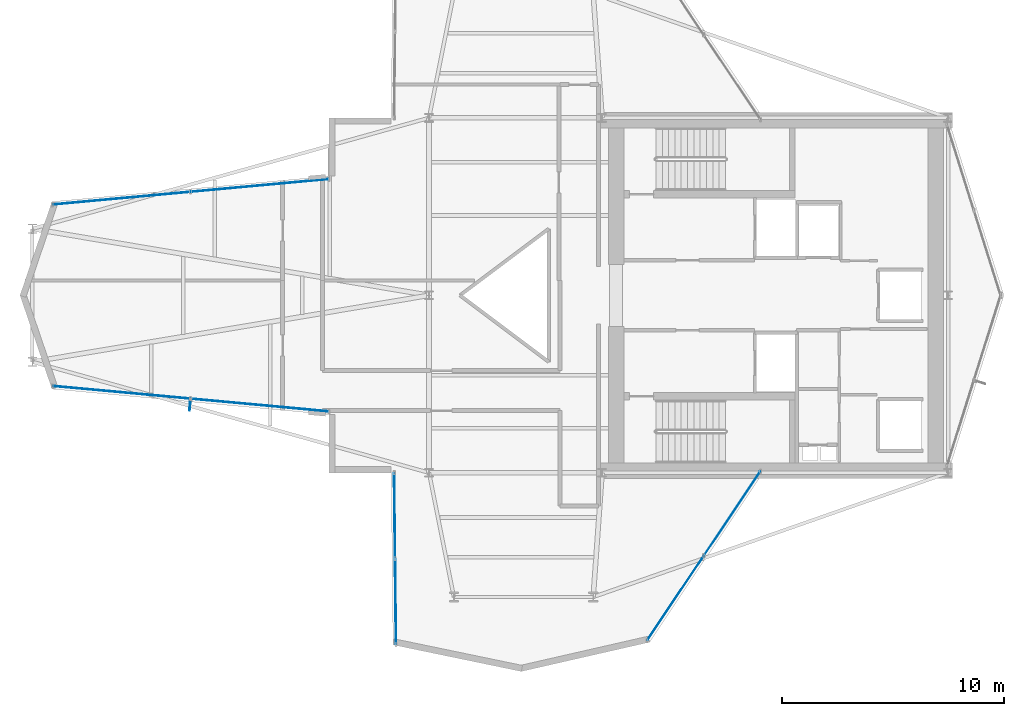
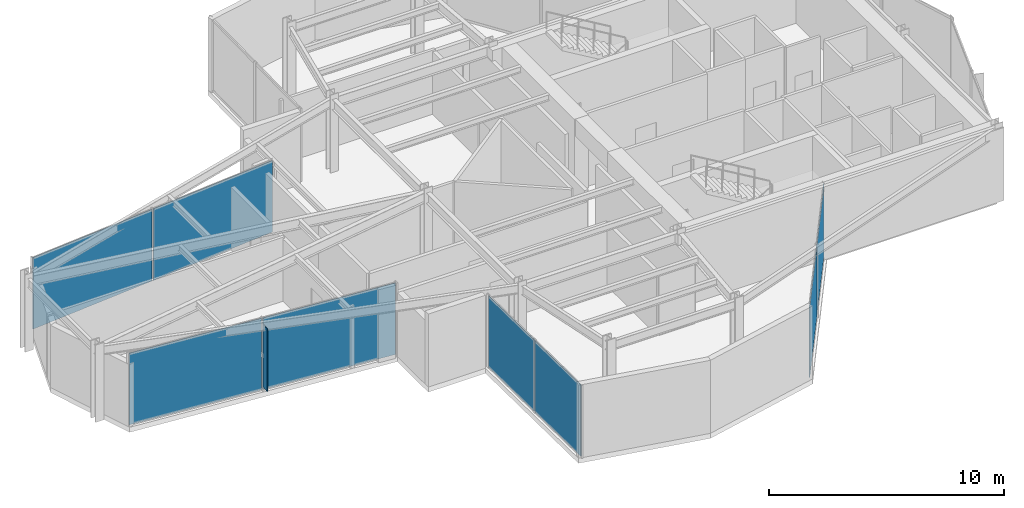
# One storey, part 17 of 22: 9 plates, 4 elements without a shape of their own.
"""IFC4 building model written with IfcOpenShell, lengths in metres."""

from ifc_helpers import new_model, si_unit, direction, frame, origin, origin_2d, place, context, subcontext, project, spatial, rectangle, extrude, material, layer, layer_set, type_object, element, aggregate, save


model = new_model("IFC4")

# Units and contexts
model_context = context("Model", 3, precision=1e-05, world=origin(), true_north=direction((0.0, 1.0)))
body_context = subcontext(model_context, "Body", "Model", "MODEL_VIEW")
ifc_project = project(units=[si_unit("LENGTHUNIT", "METRE"), si_unit("AREAUNIT", "SQUARE_METRE"), si_unit("VOLUMEUNIT", "CUBIC_METRE"), si_unit("PLANEANGLEUNIT", "RADIAN"), si_unit("MASSUNIT", "GRAM", prefix="KILO")], contexts=[model_context])

# Site, building, storey
site_placement = place(None, origin())
site = spatial("IfcSite", under=ifc_project, at=site_placement, CompositionType="ELEMENT")
building_placement = place(site_placement, origin())
building = spatial("IfcBuilding", under=site, at=building_placement, Name="Veymaron Broadcast Tower", CompositionType="ELEMENT")
storey_placement = place(building_placement, frame((0.0, 0.0, 204.0)))
storey = spatial("IfcBuildingStorey", under=building, at=storey_placement, Name="L47", CompositionType="ELEMENT", Elevation=204.0)

# Curtain wall, plates
ifc_material_1 = material(Name="Anodised aluminium AA 6063-T6 and laminated low-E dark glass", Category="aluminium")
ifc_layer_1 = layer(ifc_material_1, 0.179931640625)
ifc_layer_set_1 = layer_set([ifc_layer_1], Name="Anodised aluminium AA 6063-T6 and laminated low-E dark glass")
curtain_wall_type = type_object("IfcCurtainWallType", Name="CW-SYS-05", PredefinedType="NOTDEFINED", material=ifc_layer_set_1)
curtain_wall_1_placement = place(storey_placement, origin())
curtain_wall_1 = element("IfcCurtainWall", 1, at=curtain_wall_1_placement, inside=storey, type_object=curtain_wall_type, Name="L47 dark-glass curtain wall CW-L47-E11-1", PredefinedType="NOTDEFINED")
ifc_material_2 = material(Name="Double-silver solar-control dark glass IGU 32 mm", Category="glass")
ifc_layer_2 = layer(ifc_material_2, 0.031982421875)
ifc_layer_set_2 = layer_set([ifc_layer_2], Name="Double-silver solar-control dark glass IGU 32 mm")
plate_type_1 = type_object("IfcPlateType", Name="CW-PNL-02", PredefinedType="CURTAIN_PANEL", material=ifc_layer_set_2)
plate_1_placement = place(storey_placement, frame((23.572998046875, 28.95068359375, 0.0400390625), z_axis=(0.0, 0.0, 1.0), x_axis=(-0.995777734666, -0.091797075901, 0.0)))
plate_1 = element("IfcPlate", 2, at=plate_1_placement, type_object=plate_type_1, Name="CW-L47-E11-1 unitised curtain panel 0", PredefinedType="CURTAIN_PANEL", context=body_context, shape_type="SweptSolid", body=[
    extrude(rectangle(XDim=6.20654296875, YDim=0.031982421875, at=origin_2d()), origin(), (0.0, 0.0, 1.0), 3.7099609375),
])
plate_2_placement = place(storey_placement, frame((17.3330078125, 28.375244140625, 0.0400390625), z_axis=(0.0, 0.0, 1.0), x_axis=(-0.995777734666, -0.091797075901, 0.0)))
plate_2 = element("IfcPlate", 3, at=plate_2_placement, type_object=plate_type_1, Name="CW-L47-E11-1 unitised curtain panel 1", PredefinedType="CURTAIN_PANEL", context=body_context, shape_type="SweptSolid", body=[
    extrude(rectangle(XDim=6.20654296875, YDim=0.031982421875, at=origin_2d()), origin(), (0.0, 0.0, 1.0), 3.7099609375),
])
aggregate(curtain_wall_1, [plate_1, plate_2])

curtain_wall_2_placement = place(storey_placement, origin())
curtain_wall_2 = element("IfcCurtainWall", 4, at=curtain_wall_2_placement, inside=storey, type_object=curtain_wall_type, Name="L47 dark-glass curtain wall CW-L47-E14-1", PredefinedType="NOTDEFINED")
plate_3_placement = place(storey_placement, frame((17.3330078125, 19.624755859375, 0.0400390625), z_axis=(0.0, 0.0, 1.0), x_axis=(0.995777734666, -0.091797075901, 0.0)))
plate_3 = element("IfcPlate", 5, at=plate_3_placement, type_object=plate_type_1, Name="CW-L47-E14-1 unitised curtain panel 0", PredefinedType="CURTAIN_PANEL", context=body_context, shape_type="SweptSolid", body=[
    extrude(rectangle(XDim=6.20654296875, YDim=0.031982421875, at=origin_2d()), origin(), (0.0, 0.0, 1.0), 3.7099609375),
])
plate_4_placement = place(storey_placement, frame((23.572998046875, 19.04931640625, 0.0400390625), z_axis=(0.0, 0.0, 1.0), x_axis=(0.995777734666, -0.091797075901, 0.0)))
plate_4 = element("IfcPlate", 6, at=plate_4_placement, type_object=plate_type_1, Name="CW-L47-E14-1 unitised curtain panel 1", PredefinedType="CURTAIN_PANEL", context=body_context, shape_type="SweptSolid", body=[
    extrude(rectangle(XDim=6.20654296875, YDim=0.031982421875, at=origin_2d()), origin(), (0.0, 0.0, 1.0), 3.7099609375),
])
aggregate(curtain_wall_2, [plate_3, plate_4])

curtain_wall_3_placement = place(storey_placement, origin())
curtain_wall_3 = element("IfcCurtainWall", 7, at=curtain_wall_3_placement, inside=storey, type_object=curtain_wall_type, Name="L47 dark-glass curtain wall CW-L47-E17-1", PredefinedType="NOTDEFINED")
plate_5_placement = place(storey_placement, frame((29.650634765625, 14.0615234375, 0.0400390625), z_axis=(0.0, 0.0, 1.0), x_axis=(0.011152422724, -0.9999378098, 0.0)))
plate_5 = element("IfcPlate", 8, at=plate_5_placement, type_object=plate_type_1, Name="CW-L47-E17-1 unitised curtain panel 0", PredefinedType="CURTAIN_PANEL", context=body_context, shape_type="SweptSolid", body=[
    extrude(rectangle(XDim=3.8203125, YDim=0.031982421875, at=origin_2d()), origin(), (0.0, 0.0, 1.0), 3.7099609375),
])
plate_6_placement = place(storey_placement, frame((29.69384765625, 10.181640625, 0.0400390625), z_axis=(0.0, 0.0, 1.0), x_axis=(0.011152422724, -0.9999378098, 0.0)))
plate_6 = element("IfcPlate", 9, at=plate_6_placement, type_object=plate_type_1, Name="CW-L47-E17-1 unitised curtain panel 1", PredefinedType="CURTAIN_PANEL", context=body_context, shape_type="SweptSolid", body=[
    extrude(rectangle(XDim=3.8203125, YDim=0.031982421875, at=origin_2d()), origin(), (0.0, 0.0, 1.0), 3.7099609375),
])
aggregate(curtain_wall_3, [plate_5, plate_6])

curtain_wall_4_placement = place(storey_placement, origin())
curtain_wall_4 = element("IfcCurtainWall", 10, at=curtain_wall_4_placement, inside=storey, type_object=curtain_wall_type, Name="L47 dark-glass curtain wall CW-L47-E20-1", PredefinedType="NOTDEFINED")
plate_7_placement = place(storey_placement, frame((42.30810546875, 10.347900390625, 0.0400390625), z_axis=(0.0, 0.0, 1.0), x_axis=(0.556658147909, 0.830741660426, 0.0)))
plate_7 = element("IfcPlate", 11, at=plate_7_placement, type_object=plate_type_1, Name="CW-L47-E20-1 unitised curtain panel 0", PredefinedType="CURTAIN_PANEL", context=body_context, shape_type="SweptSolid", body=[
    extrude(rectangle(XDim=4.538330078125, YDim=0.031982421875, at=origin_2d()), origin(), (0.0, 0.0, 1.0), 3.7099609375),
])
plate_8_placement = place(storey_placement, frame((44.867919921875, 14.16796875, 0.0400390625), z_axis=(0.0, 0.0, 1.0), x_axis=(0.556658147909, 0.830741660426, 0.0)))
plate_8 = element("IfcPlate", 12, at=plate_8_placement, type_object=plate_type_1, Name="CW-L47-E20-1 unitised curtain panel 1", PredefinedType="CURTAIN_PANEL", context=body_context, shape_type="SweptSolid", body=[
    extrude(rectangle(XDim=4.538330078125, YDim=0.031982421875, at=origin_2d()), origin(), (0.0, 0.0, 1.0), 3.7099609375),
])
aggregate(curtain_wall_4, [plate_7, plate_8])

# Plate
ifc_material_3 = material(Name="Dark-anodised aluminium AA 6061-T6", Category="aluminium")
ifc_layer_3 = layer(ifc_material_3, 0.031982421875)
ifc_layer_set_3 = layer_set([ifc_layer_3], Name="Dark-anodised aluminium AA 6061-T6")
plate_type_2 = type_object("IfcPlateType", Name="FIN-CHEV-03", PredefinedType="USERDEFINED", material=ifc_layer_set_3)
plate_9_placement = place(storey_placement, frame((20.422607421875, 19.00830078125, 0.26513671875), z_axis=(0.0, 0.0, 1.0), x_axis=(-0.091797075901, -0.995777734666, 0.0)))
element("IfcPlate", 13, at=plate_9_placement, inside=storey, type_object=plate_type_2, Name="CW-L47-E14-1 chevron fin 1", ObjectType="FIN", PredefinedType="USERDEFINED", context=body_context, shape_type="SweptSolid", body=[
    extrude(rectangle(XDim=0.39990234375, YDim=0.034912109375, at=origin_2d()), origin(), (0.0, 0.0, 1.0), 3.259521484375),
])

save(model, "model.ifc")
